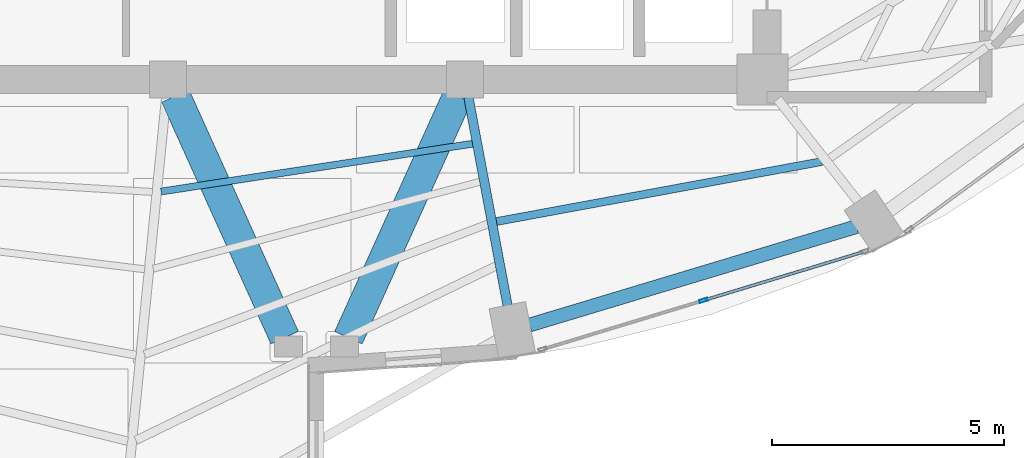
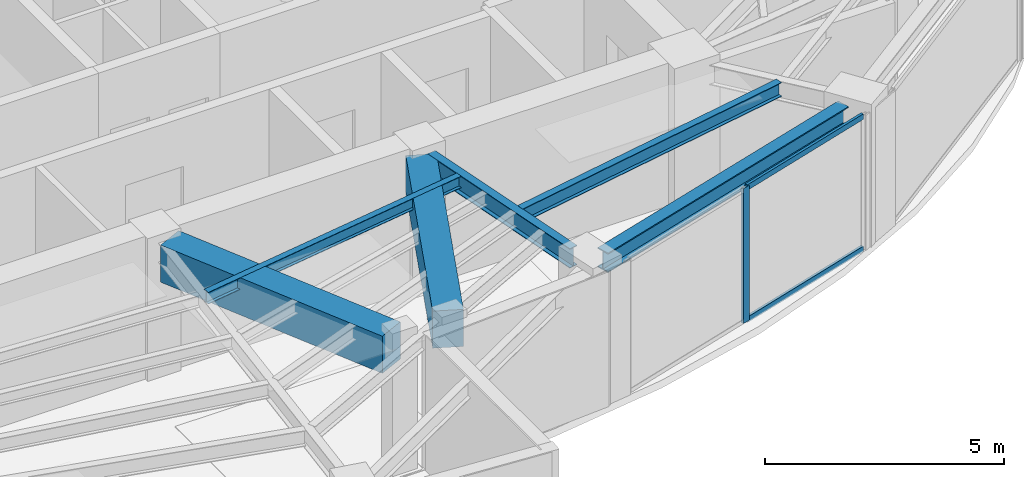
# One storey, part 7 of 23: 6 beams, 3 members, 1 element without a shape of its own.
"""IFC4 building model written with IfcOpenShell, lengths in metres."""

from ifc_helpers import new_model, si_unit, direction, frame, origin, origin_2d, place, context, subcontext, project, spatial, rectangle, hollow_rectangle, i_section, extrude, material, layer, layer_set, material_profile, profile_set, type_object, element, aggregate, save


model = new_model("IFC4")

# Units and contexts
model_context = context("Model", 3, precision=1e-05, world=origin(), true_north=direction((0.0, 1.0)))
body_context = subcontext(model_context, "Body", "Model", "MODEL_VIEW")
ifc_project = project(units=[si_unit("LENGTHUNIT", "METRE"), si_unit("AREAUNIT", "SQUARE_METRE"), si_unit("VOLUMEUNIT", "CUBIC_METRE"), si_unit("PLANEANGLEUNIT", "RADIAN"), si_unit("MASSUNIT", "GRAM", prefix="KILO")], contexts=[model_context])

# Site, building, storey
site_placement = place(None, origin())
site = spatial("IfcSite", under=ifc_project, at=site_placement, CompositionType="ELEMENT")
building_placement = place(site_placement, origin())
building = spatial("IfcBuilding", under=site, at=building_placement, Name="Lazwardi Medical Tower", CompositionType="ELEMENT")
storey_placement = place(building_placement, frame((0.0, 0.0, 213.072021484375)))
storey = spatial("IfcBuildingStorey", under=building, at=storey_placement, Name="L55", CompositionType="ELEMENT", Elevation=213.072021484375)

# Beams
ifc_material_1 = material(Name="Concrete C60/75", Category="concrete")
ifc_material_profile_1 = material_profile(ifc_material_1, rectangle(XDim=0.64990234375, YDim=0.949951171875, at=origin_2d()), Name="RC 650x950")
ifc_profile_set_1 = profile_set([ifc_material_profile_1], Name="Concrete C60/75")
beam_type_1 = type_object("IfcBeamType", Name="BM-CB-RC2", PredefinedType="LINTEL", material=ifc_profile_set_1)
for number, where, z_axis, x_axis, name in (
    (1, (32.95849609375, 20.04931640625, 2.972900390625), (0.412019279944, -0.911175127489, 0.0), (0.911175127489, 0.412019279944, 0.0), "Core coupling lintel CB-02 PL3 L55"),
    (2, (39.04150390625, 20.04931640625, 2.972900390625), (-0.412019279944, -0.911175127489, 0.0), (0.911175127489, -0.412019279944, 0.0), "Core coupling lintel CB-02 PL4 L55"),
):
    element("IfcBeam", number, at=place(storey_placement, frame(where, z_axis=z_axis, x_axis=x_axis)), inside=storey, type_object=beam_type_1, Name=name, PredefinedType="LINTEL", context=body_context, shape_type="SweptSolid", body=[
        extrude(rectangle(XDim=0.64990234375, YDim=0.949951171875, at=origin_2d()), origin(), (0.0, 0.0, 1.0), 5.7158203125),
    ])
ifc_material_2 = material(Name="Steel S355", Category="steel")
ifc_material_profile_2 = material_profile(ifc_material_2, i_section(OverallWidth=0.300048828125, OverallDepth=0.5, WebThickness=0.014404296875, FlangeThickness=0.028076171875, at=origin_2d()), Name="HEB 500")
ifc_profile_set_2 = profile_set([ifc_material_profile_2], Name="Steel S355")
beam_type_2 = type_object("IfcBeamType", Name="BM-RB-Z4", PredefinedType="BEAM", material=ifc_profile_set_2)
beam_1_placement = place(storey_placement, frame((40.58740234375, 15.114013671875, 3.197998046875), z_axis=(0.957544311906, 0.288286126506, 0.0), x_axis=(-0.288286126506, 0.957544311906, 0.0)))
element("IfcBeam", 3, at=beam_1_placement, inside=storey, type_object=beam_type_2, Name="Ring beam RB-05 B01 L55", PredefinedType="BEAM", context=body_context, shape_type="SweptSolid", body=[
    extrude(i_section(OverallWidth=0.300048828125, OverallDepth=0.5, WebThickness=0.014404296875, FlangeThickness=0.028076171875, at=origin_2d()), origin(), (0.0, 0.0, 1.0), 7.3515625),
])
ifc_material_profile_3 = material_profile(ifc_material_2, i_section(OverallWidth=0.199951171875, OverallDepth=0.5, WebThickness=0.01025390625, FlangeThickness=0.01611328125, at=origin_2d()), Name="IPE 500")
ifc_profile_set_3 = profile_set([ifc_material_profile_3], Name="Steel S355")
beam_type_3 = type_object("IfcBeamType", Name="BM-RG-W3", PredefinedType="BEAM", material=ifc_profile_set_3)
beam_2_placement = place(storey_placement, frame((40.115234375, 15.527587890625, 3.197998046875), z_axis=(-0.184633463507, 0.982807450192, 0.0), x_axis=(-0.982807450192, -0.184633463507, 0.0)))
element("IfcBeam", 4, at=beam_2_placement, inside=storey, type_object=beam_type_3, Name="Radial girder RG-04 R01 L55", PredefinedType="BEAM", context=body_context, shape_type="SweptSolid", body=[
    extrude(i_section(OverallWidth=0.199951171875, OverallDepth=0.5, WebThickness=0.01025390625, FlangeThickness=0.01611328125, at=origin_2d()), origin(), (0.0, 0.0, 1.0), 4.572509765625),
])
ifc_material_profile_4 = material_profile(ifc_material_2, i_section(OverallWidth=0.169921875, OverallDepth=0.360107421875, WebThickness=0.008056640625, FlangeThickness=0.0126953125, at=origin_2d()), Name="IPE 360")
ifc_profile_set_4 = profile_set([ifc_material_profile_4], Name="Steel S355")
beam_type_4 = type_object("IfcBeamType", Name="BM-SJ-02", PredefinedType="JOIST", material=ifc_profile_set_4)
beam_3_placement = place(storey_placement, frame((39.87109375, 17.34228515625, 3.26806640625), z_axis=(0.983427965623, 0.181299300688, 0.0), x_axis=(-0.181299300688, 0.983427965623, 0.0)))
element("IfcBeam", 5, at=beam_3_placement, inside=storey, type_object=beam_type_4, Name="Secondary joist SJ-02 R2 B01 L55", PredefinedType="JOIST", context=body_context, shape_type="SweptSolid", body=[
    extrude(i_section(OverallWidth=0.169921875, OverallDepth=0.360107421875, WebThickness=0.008056640625, FlangeThickness=0.0126953125, at=origin_2d()), origin(), (0.0, 0.0, 1.0), 7.127685546875),
])
ifc_material_profile_5 = material_profile(ifc_material_2, i_section(OverallWidth=0.14990234375, OverallDepth=0.300048828125, WebThickness=0.007080078125, FlangeThickness=0.0107421875, at=origin_2d()), Name="IPE 300")
ifc_profile_set_5 = profile_set([ifc_material_profile_5], Name="Steel S355")
beam_type_5 = type_object("IfcBeamType", Name="BM-SJ-03", PredefinedType="JOIST", material=ifc_profile_set_5)
beam_4_placement = place(storey_placement, frame((32.652587890625, 17.989013671875, 3.298095703125), z_axis=(0.988433562862, 0.151654514629, 0.0), x_axis=(-0.151654514629, 0.988433562862, 0.0)))
element("IfcBeam", 6, at=beam_4_placement, inside=storey, type_object=beam_type_5, Name="Secondary joist SJ-03 R4 B16 L55", PredefinedType="JOIST", context=body_context, shape_type="SweptSolid", body=[
    extrude(i_section(OverallWidth=0.14990234375, OverallDepth=0.300048828125, WebThickness=0.007080078125, FlangeThickness=0.0107421875, at=origin_2d()), origin(), (0.0, 0.0, 1.0), 6.788818359375),
])

# Curtain wall, members
ifc_material_3 = material(Name="Anodised bronze aluminium and solar control glazing", Category="aluminium")
ifc_layer = layer(ifc_material_3, 0.18994140625)
ifc_layer_set = layer_set([ifc_layer], Name="Anodised bronze aluminium and solar control glazing")
curtain_wall_type = type_object("IfcCurtainWallType", Name="CW-SYS-04", PredefinedType="NOTDEFINED", material=ifc_layer_set)
curtain_wall_placement = place(storey_placement, origin())
curtain_wall = element("IfcCurtainWall", 7, at=curtain_wall_placement, inside=storey, type_object=curtain_wall_type, Name="L55 Unitised bronze curtain wall CW-04", PredefinedType="NOTDEFINED")
ifc_material_4 = material(Name="Anodised bronze aluminium", Category="aluminium")
ifc_material_profile_6 = material_profile(ifc_material_4, hollow_rectangle(XDim=0.06494140625, YDim=0.179931640625, WallThickness=0.00390625, at=origin_2d()), Name="ALU-MULLION 180x65x4")
ifc_profile_set_6 = profile_set([ifc_material_profile_6], Name="Anodised bronze aluminium")
member_type_1 = type_object("IfcMemberType", Name="CW-MUL-03", PredefinedType="MULLION", material=ifc_profile_set_6)
member_1_placement = place(storey_placement, frame((44.33642578125, 15.644775390625, 0.0), z_axis=(0.0, 0.0, 1.0), x_axis=(-0.290581889515, 0.956850126972, 0.0)))
member_1 = element("IfcMember", 8, at=member_1_placement, type_object=member_type_1, Name="CW-04 mullion 2", PredefinedType="MULLION", context=body_context, shape_type="SweptSolid", body=[
    extrude(hollow_rectangle(XDim=0.06494140625, YDim=0.179931640625, WallThickness=0.00390625, at=origin_2d()), origin(), (0.0, 0.0, 1.0), 3.447998046875),
])
ifc_material_profile_7 = material_profile(ifc_material_4, hollow_rectangle(XDim=0.06494140625, YDim=0.139892578125, WallThickness=0.00341796875, at=origin_2d()), Name="ALU-TRANSOM 140x65x3.5")
ifc_profile_set_7 = profile_set([ifc_material_profile_7], Name="Anodised bronze aluminium")
member_type_2 = type_object("IfcMemberType", Name="CW-TRN-03", PredefinedType="USERDEFINED", material=ifc_profile_set_7)
member_2_placement = place(storey_placement, frame((44.367431640625, 15.654052734375, 0.032470703125), z_axis=(0.956843409009, 0.290604010015, 0.0), x_axis=(-0.290604010015, 0.956843409009, 0.0)))
member_2 = element("IfcMember", 9, at=member_2_placement, type_object=member_type_2, Name="CW-04 transom 2.1", ObjectType="TRANSOM", PredefinedType="USERDEFINED", context=body_context, shape_type="SweptSolid", body=[
    extrude(hollow_rectangle(XDim=0.06494140625, YDim=0.139892578125, WallThickness=0.00341796875, at=origin_2d()), origin(), (0.0, 0.0, 1.0), 3.554443359375),
])
member_3_placement = place(storey_placement, frame((44.367431640625, 15.654052734375, 3.41552734375), z_axis=(0.956843409009, 0.290604010015, 0.0), x_axis=(-0.290604010015, 0.956843409009, 0.0)))
member_3 = element("IfcMember", 10, at=member_3_placement, type_object=member_type_2, Name="CW-04 transom 2.2", ObjectType="TRANSOM", PredefinedType="USERDEFINED", context=body_context, shape_type="SweptSolid", body=[
    extrude(hollow_rectangle(XDim=0.06494140625, YDim=0.139892578125, WallThickness=0.00341796875, at=origin_2d()), origin(), (0.0, 0.0, 1.0), 3.554443359375),
])
aggregate(curtain_wall, [member_1, member_2, member_3])

save(model, "model.ifc")
